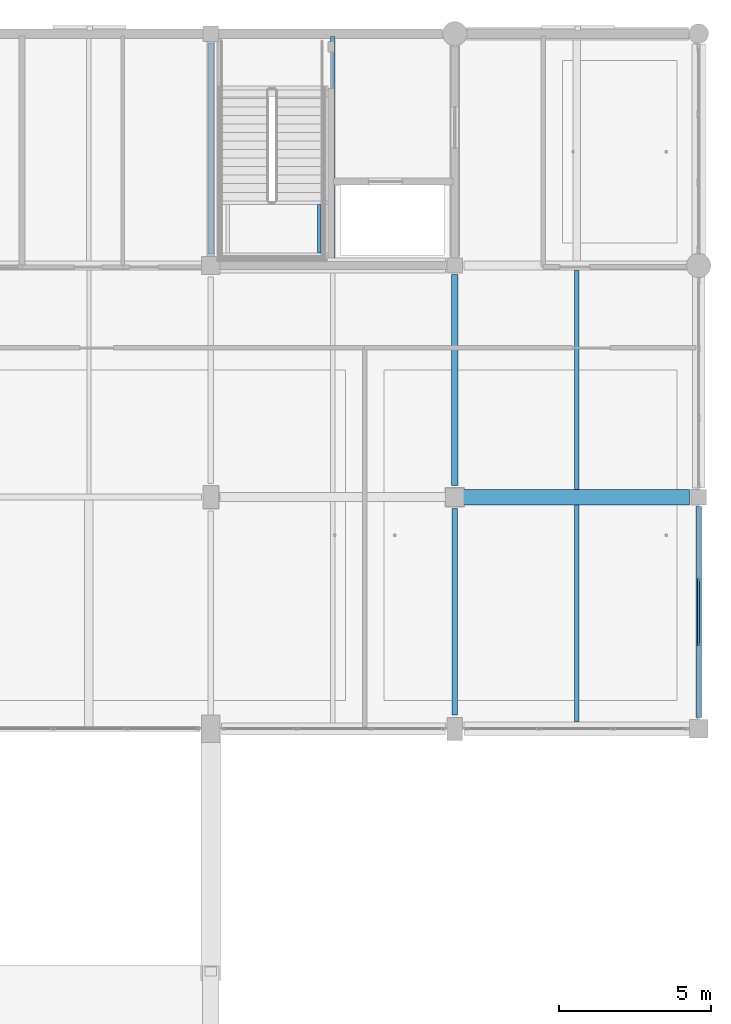
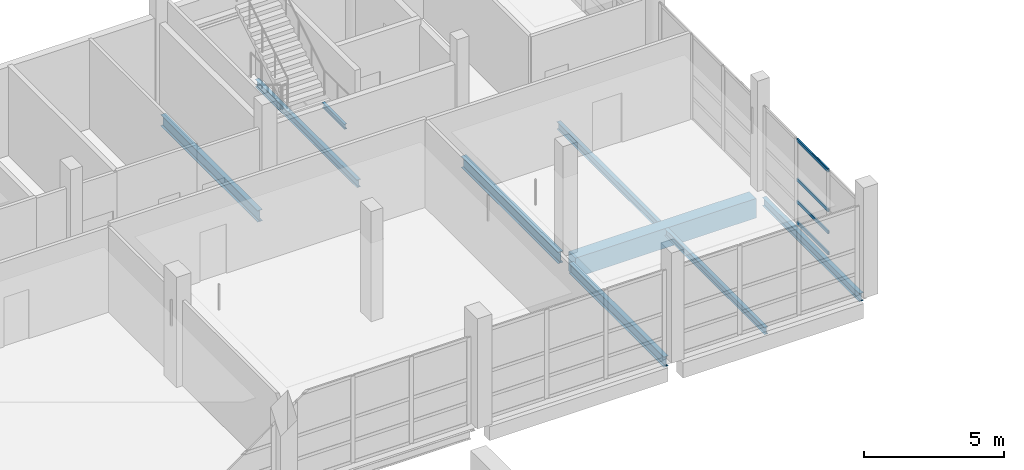
# One storey, part 54 of 107: 9 beams, 4 members, 1 element without a shape of its own.
"""IFC4 building model written with IfcOpenShell, lengths in metres."""

from ifc_helpers import new_model, si_unit, direction, frame, origin, origin_2d, place, context, subcontext, project, spatial, rectangle, hollow_rectangle, i_section, extrude, material, material_profile, profile_set, type_object, element, aggregate, save


model = new_model("IFC4")

# Units and contexts
model_context = context("Model", 3, precision=1e-05, world=origin(), true_north=direction((0.0, 1.0)))
body_context = subcontext(model_context, "Body", "Model", "MODEL_VIEW")
ifc_project = project(units=[si_unit("LENGTHUNIT", "METRE"), si_unit("AREAUNIT", "SQUARE_METRE"), si_unit("VOLUMEUNIT", "CUBIC_METRE"), si_unit("PLANEANGLEUNIT", "RADIAN"), si_unit("MASSUNIT", "GRAM", prefix="KILO")], contexts=[model_context])

# Site, building, storey
site_placement = place(None, origin())
site = spatial("IfcSite", under=ifc_project, at=site_placement, CompositionType="ELEMENT")
building_placement = place(site_placement, origin())
building = spatial("IfcBuilding", under=site, at=building_placement, Name="Khelvaren Railside Concert Hall", CompositionType="ELEMENT")
storey_placement = place(building_placement, frame((0.0, 0.0, 15.0)))
storey = spatial("IfcBuildingStorey", under=building, at=storey_placement, Name="L03", CompositionType="ELEMENT", Elevation=15.0)

# Beams
ifc_material_1 = material(Name="Steel S355", Category="steel")
ifc_material_profile_1 = material_profile(ifc_material_1, i_section(OverallWidth=0.199951171875, OverallDepth=0.5, WebThickness=0.01025390625, FlangeThickness=0.01611328125, FilletRadius=0.02099609375, at=origin_2d()), Name="IPE 500")
ifc_profile_set_1 = profile_set([ifc_material_profile_1], Name="Steel S355")
beam_type_1 = type_object("IfcBeamType", Name="BM62", PredefinedType="BEAM", material=ifc_profile_set_1)
for number, where, z_axis, x_axis, name in (
    (1, (168.0, 106.77490234375, -0.530029296875), (0.0, 1.0, 0.0), (-1.0, 0.0, 0.0), "V5 L03 Beam Y6.4"),
    (2, (176.0, 99.175048828125, -0.530029296875), (0.0, 1.0, 0.0), (-1.0, 0.0, 0.0), "V5 L03 Beam Y7.3"),
):
    element("IfcBeam", number, at=place(storey_placement, frame(where, z_axis=z_axis, x_axis=x_axis)), inside=storey, type_object=beam_type_1, Name=name, PredefinedType="BEAM", context=body_context, shape_type="SweptSolid", body=[
        extrude(i_section(OverallWidth=0.199951171875, OverallDepth=0.5, WebThickness=0.01025390625, FlangeThickness=0.01611328125, FilletRadius=0.02099609375, at=origin_2d()), origin(), (0.0, 0.0, 1.0), 6.925048828125),
    ])
ifc_material_profile_2 = material_profile(ifc_material_1, i_section(OverallWidth=0.110107421875, OverallDepth=0.219970703125, WebThickness=0.005859375, FlangeThickness=0.00927734375, FilletRadius=0.011962890625, at=origin_2d()), Name="IPE 220")
ifc_profile_set_2 = profile_set([ifc_material_profile_2], Name="Steel S355")
beam_type_2 = type_object("IfcBeamType", Name="BM87", PredefinedType="BEAM", material=ifc_profile_set_2)
beam_1_placement = place(storey_placement, frame((171.550048828125, 106.81494140625, 2.090087890625), z_axis=(0.0, 1.0, 0.0), x_axis=(-1.0, 0.0, 0.0)))
element("IfcBeam", 3, at=beam_1_placement, inside=storey, type_object=beam_type_2, Name="ST-10 L03 Half-Landing Side Tie E", PredefinedType="BEAM", context=body_context, shape_type="SweptSolid", body=[
    extrude(i_section(OverallWidth=0.110107421875, OverallDepth=0.219970703125, WebThickness=0.005859375, FlangeThickness=0.00927734375, FilletRadius=0.011962890625, at=origin_2d()), origin(), (0.0, 0.0, 1.0), 1.5849609375),
])
ifc_material_profile_3 = material_profile(ifc_material_1, i_section(OverallWidth=0.18994140625, OverallDepth=0.449951171875, WebThickness=0.009521484375, FlangeThickness=0.0146484375, FilletRadius=0.02099609375, at=origin_2d()), Name="IPE 450")
ifc_profile_set_3 = profile_set([ifc_material_profile_3], Name="Steel S355")
beam_type_3 = type_object("IfcBeamType", Name="BM95", PredefinedType="BEAM", material=ifc_profile_set_3)
beam_2_placement = place(storey_placement, frame((176.0, 91.64990234375, -0.5048828125), z_axis=(0.0, 1.0, 0.0), x_axis=(-1.0, 0.0, 0.0)))
element("IfcBeam", 4, at=beam_2_placement, inside=storey, type_object=beam_type_3, Name="V5 L03 Beam Y7.2", PredefinedType="BEAM", context=body_context, shape_type="SweptSolid", body=[
    extrude(i_section(OverallWidth=0.18994140625, OverallDepth=0.449951171875, WebThickness=0.009521484375, FlangeThickness=0.0146484375, FilletRadius=0.02099609375, at=origin_2d()), origin(), (0.0, 0.0, 1.0), 6.775146484375),
])

# Curtain wall, members
ifc_material_2 = material(Name="Double-glazed clear foyer glass", Category="glass")
curtain_wall_type = type_object("IfcCurtainWallType", Name="CW68", PredefinedType="USERDEFINED", material=ifc_material_2)
curtain_wall_placement = place(storey_placement, origin())
curtain_wall = element("IfcCurtainWall", 5, at=curtain_wall_placement, inside=storey, type_object=curtain_wall_type, Name="Unitised Curtain Wall CW-V5-L03-E-91", ObjectType="UNITISED CURTAIN WALL", PredefinedType="USERDEFINED")
ifc_material_3 = material(Name="Anodised architectural aluminium 6063-T6", Category="aluminium")
ifc_material_profile_4 = material_profile(ifc_material_3, hollow_rectangle(XDim=0.06494140625, YDim=0.139892578125, WallThickness=0.00390625, InnerFilletRadius=0.001953125, OuterFilletRadius=0.00390625, at=origin_2d()), Name="CWT 65x140x4")
ifc_profile_set_4 = profile_set([ifc_material_profile_4], Name="Anodised architectural aluminium 6063-T6")
member_type = type_object("IfcMemberType", Name="CWT72", PredefinedType="USERDEFINED", material=ifc_profile_set_4)
member_1_placement = place(storey_placement, frame((184.0, 96.138427734375, 0.032470703125), z_axis=(0.0, -1.0, 0.0), x_axis=(1.0, 0.0, 0.0)))
member_1 = element("IfcMember", 6, at=member_1_placement, type_object=member_type, Name="CW68 transom 2.1", ObjectType="TRANSOM", PredefinedType="USERDEFINED", context=body_context, shape_type="SweptSolid", body=[
    extrude(hollow_rectangle(XDim=0.06494140625, YDim=0.139892578125, WallThickness=0.00390625, InnerFilletRadius=0.001953125, OuterFilletRadius=0.00390625, at=origin_2d()), origin(), (0.0, 0.0, 1.0), 2.226806640625),
])
member_2_placement = place(storey_placement, frame((184.0, 96.138427734375, 0.949951171875), z_axis=(0.0, -1.0, 0.0), x_axis=(1.0, 0.0, 0.0)))
member_2 = element("IfcMember", 7, at=member_2_placement, type_object=member_type, Name="CW68 transom 2.2", ObjectType="TRANSOM", PredefinedType="USERDEFINED", context=body_context, shape_type="SweptSolid", body=[
    extrude(hollow_rectangle(XDim=0.06494140625, YDim=0.139892578125, WallThickness=0.00390625, InnerFilletRadius=0.001953125, OuterFilletRadius=0.00390625, at=origin_2d()), origin(), (0.0, 0.0, 1.0), 2.226806640625),
])
member_3_placement = place(storey_placement, frame((184.0, 96.138427734375, 1.908447265625), z_axis=(0.0, -1.0, 0.0), x_axis=(1.0, 0.0, 0.0)))
member_3 = element("IfcMember", 8, at=member_3_placement, type_object=member_type, Name="CW68 transom 2.3", ObjectType="TRANSOM", PredefinedType="USERDEFINED", context=body_context, shape_type="SweptSolid", body=[
    extrude(hollow_rectangle(XDim=0.06494140625, YDim=0.139892578125, WallThickness=0.00390625, InnerFilletRadius=0.001953125, OuterFilletRadius=0.00390625, at=origin_2d()), origin(), (0.0, 0.0, 1.0), 2.226806640625),
])
member_4_placement = place(storey_placement, frame((184.0, 96.138427734375, 3.637451171875), z_axis=(0.0, -1.0, 0.0), x_axis=(1.0, 0.0, 0.0)))
member_4 = element("IfcMember", 9, at=member_4_placement, type_object=member_type, Name="CW68 transom 2.4", ObjectType="TRANSOM", PredefinedType="USERDEFINED", context=body_context, shape_type="SweptSolid", body=[
    extrude(hollow_rectangle(XDim=0.06494140625, YDim=0.139892578125, WallThickness=0.00390625, InnerFilletRadius=0.001953125, OuterFilletRadius=0.00390625, at=origin_2d()), origin(), (0.0, 0.0, 1.0), 2.226806640625),
])
aggregate(curtain_wall, [member_1, member_2, member_3, member_4])

# Beams
ifc_material_4 = material(Name="Concrete C40/50", Category="concrete")
ifc_material_profile_5 = material_profile(ifc_material_4, rectangle(XDim=0.5, YDim=0.85009765625, at=origin_2d()), Name="RCB 500x850")
ifc_profile_set_5 = profile_set([ifc_material_profile_5], Name="Concrete C40/50")
beam_type_4 = type_object("IfcBeamType", Name="GR96", PredefinedType="T_BEAM", material=ifc_profile_set_5)
beam_3_placement = place(storey_placement, frame((176.25, 98.800048828125, -0.705078125), z_axis=(1.0, 0.0, 0.0), x_axis=(0.0, 1.0, 0.0)))
element("IfcBeam", 10, at=beam_3_placement, inside=storey, type_object=beam_type_4, Name="V5 L03 T_Beam X3.7", PredefinedType="T_BEAM", context=body_context, shape_type="SweptSolid", body=[
    extrude(rectangle(XDim=0.5, YDim=0.85009765625, at=origin_2d()), origin(), (0.0, 0.0, 1.0), 7.449951171875),
])
ifc_material_profile_6 = material_profile(ifc_material_1, i_section(OverallWidth=0.14990234375, OverallDepth=0.300048828125, WebThickness=0.007080078125, FlangeThickness=0.0107421875, FilletRadius=0.014892578125, at=origin_2d()), Name="IPE 300")
ifc_profile_set_6 = profile_set([ifc_material_profile_6], Name="Steel S355")
beam_type_5 = type_object("IfcBeamType", Name="JS26", PredefinedType="JOIST", material=ifc_profile_set_6)
beam_4_placement = place(storey_placement, frame((180.0, 91.425048828125, -0.429931640625), z_axis=(0.0, 1.0, 0.0), x_axis=(-1.0, 0.0, 0.0)))
element("IfcBeam", 11, at=beam_4_placement, inside=storey, type_object=beam_type_5, Name="V5 L03 Secondary Joist 7.2", PredefinedType="JOIST", context=body_context, shape_type="SweptSolid", body=[
    extrude(i_section(OverallWidth=0.14990234375, OverallDepth=0.300048828125, WebThickness=0.007080078125, FlangeThickness=0.0107421875, FilletRadius=0.014892578125, at=origin_2d()), origin(), (0.0, 0.0, 1.0), 7.125),
])
ifc_material_profile_7 = material_profile(ifc_material_1, i_section(OverallWidth=0.159912109375, OverallDepth=0.330078125, WebThickness=0.007568359375, FlangeThickness=0.011474609375, FilletRadius=0.01806640625, at=origin_2d()), Name="IPE 330")
ifc_profile_set_7 = profile_set([ifc_material_profile_7], Name="Steel S355")
beam_type_6 = type_object("IfcBeamType", Name="JS65", PredefinedType="JOIST", material=ifc_profile_set_7)
beam_5_placement = place(storey_placement, frame((172.0, 106.64990234375, -0.445068359375), z_axis=(0.0, 1.0, 0.0), x_axis=(-1.0, 0.0, 0.0)))
element("IfcBeam", 12, at=beam_5_placement, inside=storey, type_object=beam_type_6, Name="V5 L03 Secondary Joist 6.4", PredefinedType="JOIST", context=body_context, shape_type="SweptSolid", body=[
    extrude(i_section(OverallWidth=0.159912109375, OverallDepth=0.330078125, WebThickness=0.007568359375, FlangeThickness=0.011474609375, FilletRadius=0.01806640625, at=origin_2d()), origin(), (0.0, 0.0, 1.0), 7.26513671875),
])
beam_6_placement = place(storey_placement, frame((180.0, 99.050048828125, -0.445068359375), z_axis=(0.0, 1.0, 0.0), x_axis=(-1.0, 0.0, 0.0)))
element("IfcBeam", 13, at=beam_6_placement, inside=storey, type_object=beam_type_6, Name="V5 L03 Secondary Joist 7.3", PredefinedType="JOIST", context=body_context, shape_type="SweptSolid", body=[
    extrude(i_section(OverallWidth=0.159912109375, OverallDepth=0.330078125, WebThickness=0.007568359375, FlangeThickness=0.011474609375, FilletRadius=0.01806640625, at=origin_2d()), origin(), (0.0, 0.0, 1.0), 7.199951171875),
])
ifc_material_profile_8 = material_profile(ifc_material_1, i_section(OverallWidth=0.169921875, OverallDepth=0.360107421875, WebThickness=0.008056640625, FlangeThickness=0.0126953125, FilletRadius=0.01806640625, at=origin_2d()), Name="IPE 360")
ifc_profile_set_8 = profile_set([ifc_material_profile_8], Name="Steel S355")
beam_type_7 = type_object("IfcBeamType", Name="SP74", PredefinedType="SPANDREL", material=ifc_profile_set_8)
beam_7_placement = place(storey_placement, frame((184.0, 91.574951171875, -0.4599609375), z_axis=(0.0, 1.0, 0.0), x_axis=(-1.0, 0.0, 0.0)))
element("IfcBeam", 14, at=beam_7_placement, inside=storey, type_object=beam_type_7, Name="V5 L03 Spandrel Y8.2", PredefinedType="SPANDREL", context=body_context, shape_type="SweptSolid", body=[
    extrude(i_section(OverallWidth=0.169921875, OverallDepth=0.360107421875, WebThickness=0.008056640625, FlangeThickness=0.0126953125, FilletRadius=0.01806640625, at=origin_2d()), origin(), (0.0, 0.0, 1.0), 6.925048828125),
])

save(model, "model.ifc")
